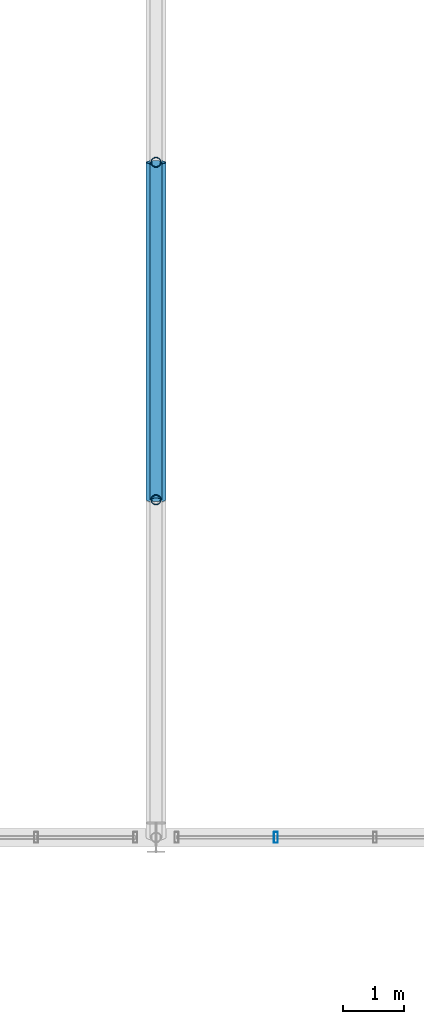
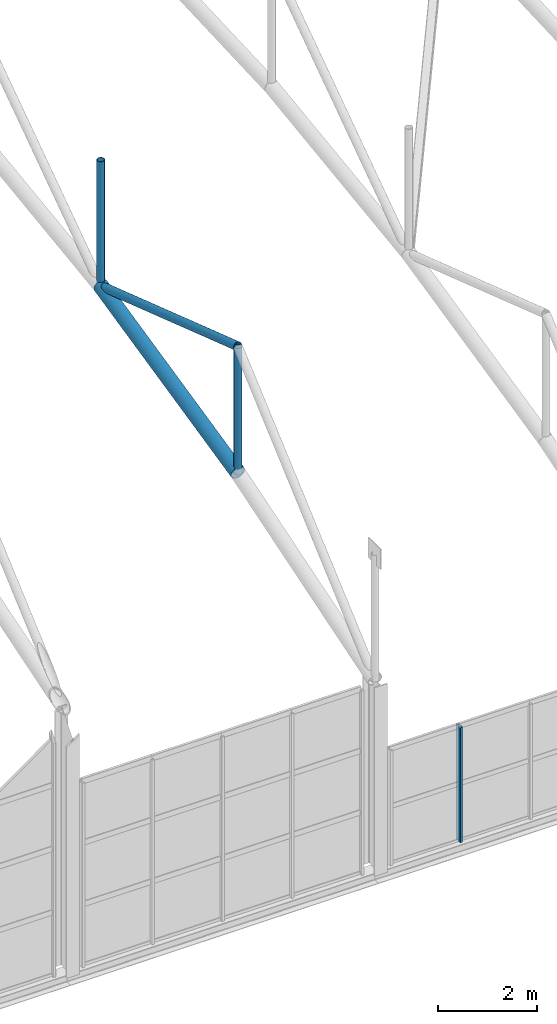
# One storey, part 23 of 153: 5 members, 1 element without a shape of its own.
"""IFC4 building model written with IfcOpenShell, lengths in metres."""

from ifc_helpers import new_model, si_unit, derived_unit, direction, frame, origin, origin_2d, place, context, subcontext, project, spatial, hollow_rectangle, hollow_circle, extrude, material, material_profile, profile_set, type_object, element, aggregate, save


model = new_model("IFC4")

# Units and contexts
model_context = context("Model", 3, precision=1e-05, world=origin(), true_north=direction((0.0, 1.0)))
body_context = subcontext(model_context, "Body", "Model", "MODEL_VIEW")
ifc_project = project(units=[si_unit("LENGTHUNIT", "METRE"), si_unit("AREAUNIT", "SQUARE_METRE"), si_unit("VOLUMEUNIT", "CUBIC_METRE"), si_unit("PLANEANGLEUNIT", "RADIAN"), si_unit("MASSUNIT", "GRAM", prefix="KILO"), derived_unit("THERMALTRANSMITTANCEUNIT", [(si_unit("POWERUNIT", "WATT"), 1), (si_unit("LENGTHUNIT", "METRE"), -2), (si_unit("THERMODYNAMICTEMPERATUREUNIT", "KELVIN"), -1)])], contexts=[model_context])

# Site, building, storey
site_placement = place(None, origin())
site = spatial("IfcSite", under=ifc_project, at=site_placement, CompositionType="ELEMENT")
building_placement = place(site_placement, origin())
building = spatial("IfcBuilding", under=site, at=building_placement, Name="Keldorne Ridge Multi-Sports Centre", CompositionType="ELEMENT")
storey_placement = place(building_placement, frame((0.0, 0.0, 9.60009765625)))
storey = spatial("IfcBuildingStorey", under=building, at=storey_placement, Name="L02", CompositionType="ELEMENT", Elevation=9.60009765625)

# Curtain wall, member
ifc_material_1 = material(Name="Anodized aluminium", Category="aluminium")
curtain_wall_type = type_object("IfcCurtainWallType", Name="CW-CW-08", PredefinedType="NOTDEFINED", material=ifc_material_1)
curtain_wall_placement = place(storey_placement, origin())
curtain_wall = element("IfcCurtainWall", 1, at=curtain_wall_placement, inside=storey, type_object=curtain_wall_type, Name="Main Hall south high clerestory 008", PredefinedType="NOTDEFINED")
ifc_material_profile_1 = material_profile(ifc_material_1, hollow_rectangle(XDim=0.06494140625, YDim=0.179931640625, WallThickness=0.00439453125, InnerFilletRadius=0.00439453125, OuterFilletRadius=0.009033203125, at=origin_2d()), Name="ALU MULLION 180x65x4.5")
ifc_profile_set_1 = profile_set([ifc_material_profile_1], Name="Anodized aluminium")
member_type_1 = type_object("IfcMemberType", Name="MEM-ML-01", PredefinedType="MULLION", material=ifc_profile_set_1)
member_1_placement = place(storey_placement, frame((22.3701171875, 9.60009765625, 0.0), z_axis=(0.0, 0.0, 1.0), x_axis=(1.0, 0.0, 0.0)))
member_1 = element("IfcMember", 2, at=member_1_placement, type_object=member_type_1, Name="CW-008 vertical mullion 2", PredefinedType="MULLION", context=body_context, shape_type="SweptSolid", body=[
    extrude(hollow_rectangle(XDim=0.06494140625, YDim=0.179931640625, WallThickness=0.00439453125, InnerFilletRadius=0.00439453125, OuterFilletRadius=0.009033203125, at=origin_2d()), origin(), (0.0, 0.0, 1.0), 2.83984375),
])
aggregate(curtain_wall, [member_1])

# Members
ifc_material_2 = material(Name="Steel S355", Category="steel")
ifc_material_profile_2 = material_profile(ifc_material_2, hollow_circle(Radius=0.161865234375, WallThickness=0.01611328125, at=origin_2d()), Name="CHS 323.9x16")
ifc_profile_set_2 = profile_set([ifc_material_profile_2], Name="Steel S355")
member_type_2 = type_object("IfcMemberType", Name="MEM-TC-02", PredefinedType="CHORD", material=ifc_profile_set_2)
member_2_placement = place(storey_placement, frame((20.39990234375, 15.14990234375, 6.409912109375), z_axis=(0.0, 0.975563092904, 0.219719484259), x_axis=(-1.0, 0.0, 0.0)))
element("IfcMember", 3, at=member_2_placement, inside=storey, type_object=member_type_2, Name="Main Hall ROOF TRUSS AT-03 bottom chord 2", PredefinedType="CHORD", context=body_context, shape_type="SweptSolid", body=[
    extrude(hollow_circle(Radius=0.161865234375, WallThickness=0.01611328125, at=origin_2d()), origin(), (0.0, 0.0, 1.0), 5.68896484375),
])
ifc_material_profile_3 = material_profile(ifc_material_2, hollow_circle(Radius=0.096923828125, WallThickness=0.010009765625, at=origin_2d()), Name="CHS 193.7x10")
ifc_profile_set_3 = profile_set([ifc_material_profile_3], Name="Steel S355")
member_type_3 = type_object("IfcMemberType", Name="MEM-TD-01", PredefinedType="BRACE", material=ifc_profile_set_3)
member_3_placement = place(storey_placement, frame((20.39990234375, 15.14990234375, 9.52978515625), z_axis=(0.0, 0.947661237718, -0.319277588514), x_axis=(-1.0, 0.0, 0.0)))
element("IfcMember", 4, at=member_3_placement, inside=storey, type_object=member_type_3, Name="Main Hall ROOF TRUSS AT-03 diagonal 2", PredefinedType="BRACE", context=body_context, shape_type="SweptSolid", body=[
    extrude(hollow_circle(Radius=0.096923828125, WallThickness=0.010009765625, at=origin_2d()), origin(), (0.0, 0.0, 1.0), 5.856689453125),
])
ifc_material_profile_4 = material_profile(ifc_material_2, hollow_circle(Radius=0.084228515625, WallThickness=0.010009765625, at=origin_2d()), Name="CHS 168.3x10")
ifc_profile_set_4 = profile_set([ifc_material_profile_4], Name="Steel S355")
member_type_4 = type_object("IfcMemberType", Name="MEM-TV-01", PredefinedType="STRUT", material=ifc_profile_set_4)
for number, where, z_axis, x_axis, name in (
    (5, (20.39990234375, 15.14990234375, 6.409912109375), (0.0, 0.0, 1.0), (1.0, 0.0, 0.0), "Main Hall ROOF TRUSS AT-03 vertical 2"),
    (6, (20.39990234375, 20.699951171875, 7.659912109375), (0.0, 0.0, 1.0), (1.0, 0.0, 0.0), "Main Hall ROOF TRUSS AT-03 vertical 3"),
):
    element("IfcMember", number, at=place(storey_placement, frame(where, z_axis=z_axis, x_axis=x_axis)), inside=storey, type_object=member_type_4, Name=name, PredefinedType="STRUT", context=body_context, shape_type="SweptSolid", body=[
        extrude(hollow_circle(Radius=0.084228515625, WallThickness=0.010009765625, at=origin_2d()), origin(), (0.0, 0.0, 1.0), 3.119873046875),
    ])

save(model, "model.ifc")
